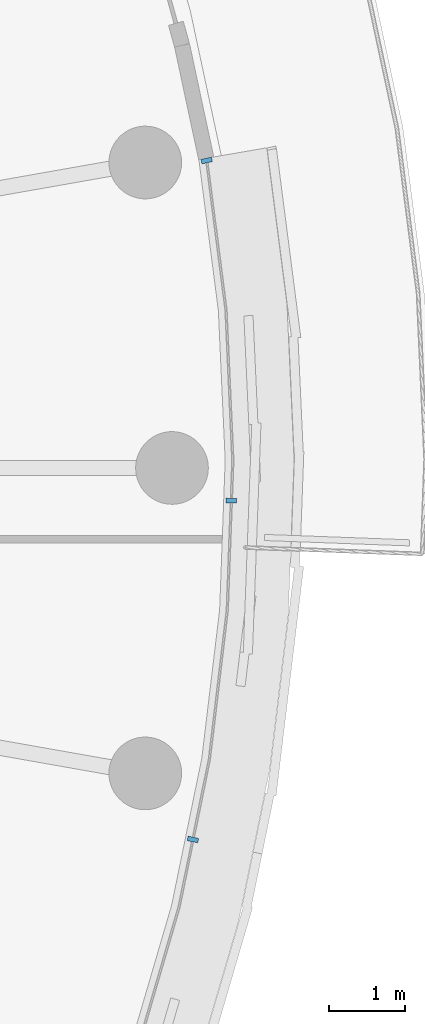
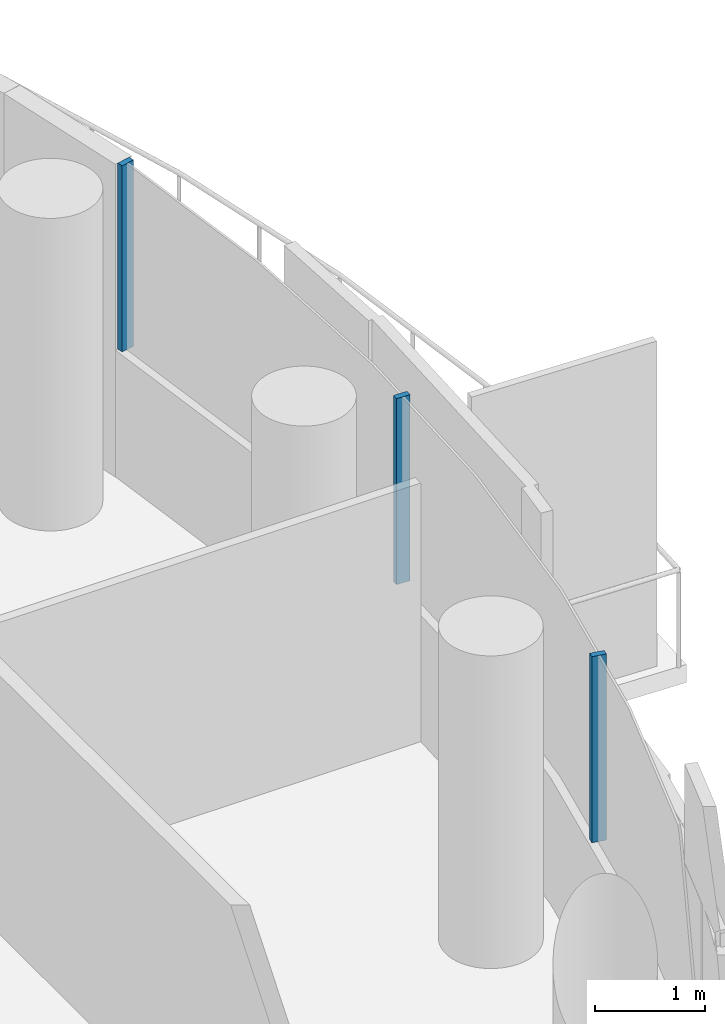
# One storey, part 14 of 31: 3 members, 1 element without a shape of its own.
"""IFC4 building model written with IfcOpenShell, lengths in metres."""

from ifc_helpers import new_model, si_unit, direction, frame, origin, origin_2d, place, context, subcontext, project, spatial, rectangle, extrude, material, layer, layer_set, material_profile, profile_set, type_object, element, aggregate, save


model = new_model("IFC4")

# Units and contexts
model_context = context("Model", 3, precision=1e-05, world=origin(), true_north=direction((0.0, 1.0)))
body_context = subcontext(model_context, "Body", "Model", "MODEL_VIEW")
ifc_project = project(units=[si_unit("LENGTHUNIT", "METRE"), si_unit("AREAUNIT", "SQUARE_METRE"), si_unit("VOLUMEUNIT", "CUBIC_METRE"), si_unit("PLANEANGLEUNIT", "RADIAN"), si_unit("MASSUNIT", "GRAM", prefix="KILO")], contexts=[model_context])

# Site, building, storey
site_placement = place(None, origin())
site = spatial("IfcSite", under=ifc_project, at=site_placement, CompositionType="ELEMENT")
building_placement = place(site_placement, origin())
building = spatial("IfcBuilding", under=site, at=building_placement, Name="Tamarind Cross Interchange Tower", CompositionType="ELEMENT")
storey_placement = place(building_placement, frame((0.0, 0.0, 200.5)))
storey = spatial("IfcBuildingStorey", under=building, at=storey_placement, Name="L50", CompositionType="ELEMENT", Elevation=200.5)

# Curtain wall, members
ifc_material = material(Name="Aluminium 6063-T6", Category="aluminium")
ifc_layer = layer(ifc_material, 0.139892578125)
ifc_layer_set = layer_set([ifc_layer], Name="Aluminium 6063-T6")
curtain_wall_type = type_object("IfcCurtainWallType", Name="Hotel curtain wall, 4.5 m bays", PredefinedType="NOTDEFINED", material=ifc_layer_set)
curtain_wall_placement = place(storey_placement, origin())
curtain_wall = element("IfcCurtainWall", 1, at=curtain_wall_placement, inside=storey, type_object=curtain_wall_type, Name="CWS-L50-06", PredefinedType="NOTDEFINED")
ifc_material_profile = material_profile(ifc_material, rectangle(XDim=0.06005859375, YDim=0.139892578125, at=origin_2d()), Name="Mullion CW2")
ifc_profile_set = profile_set([ifc_material_profile], Name="Aluminium 6063-T6")
member_type = type_object("IfcMemberType", Name="Mullion CW2", PredefinedType="MULLION", material=ifc_profile_set)
member_1_placement = place(storey_placement, frame((23.27392578125, -4.8583984375, 1.39990234375), z_axis=(0.0, 0.0, 1.0), x_axis=(0.201001463943, 0.9795909409, 0.0)))
member_1 = element("IfcMember", 2, at=member_1_placement, type_object=member_type, Name="CWM-L50-06-05", PredefinedType="MULLION", context=body_context, shape_type="SweptSolid", body=[
    extrude(rectangle(XDim=0.06005859375, YDim=0.139892578125, at=origin_2d()), origin(), (0.0, 0.0, 1.0), 2.06005859375),
])
member_2_placement = place(storey_placement, frame((23.77587890625, -0.427978515625, 1.39990234375), z_axis=(0.0, 0.0, 1.0), x_axis=(0.037024696392, 0.999314350871, 0.0)))
member_2 = element("IfcMember", 3, at=member_2_placement, type_object=member_type, Name="CWM-L50-06-06", PredefinedType="MULLION", context=body_context, shape_type="SweptSolid", body=[
    extrude(rectangle(XDim=0.06005859375, YDim=0.139892578125, at=origin_2d()), origin(), (0.0, 0.0, 1.0), 2.06005859375),
])
member_3_placement = place(storey_placement, frame((23.45361328125, 4.02001953125, 1.39990234375), z_axis=(0.0, 0.0, 1.0), x_axis=(-0.209425419705, 0.977824623121, 0.0)))
member_3 = element("IfcMember", 4, at=member_3_placement, type_object=member_type, Name="CWM-L50-06-07", PredefinedType="MULLION", context=body_context, shape_type="SweptSolid", body=[
    extrude(rectangle(XDim=0.06005859375, YDim=0.139892578125, at=origin_2d()), origin(), (0.0, 0.0, 1.0), 2.06005859375),
])
aggregate(curtain_wall, [member_1, member_2, member_3])

save(model, "model.ifc")
